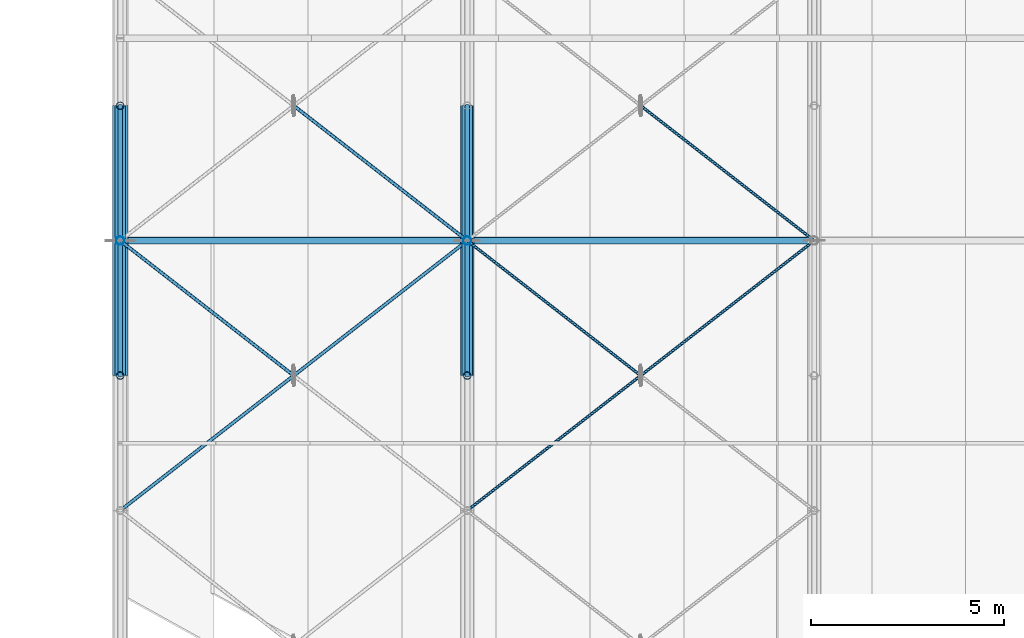
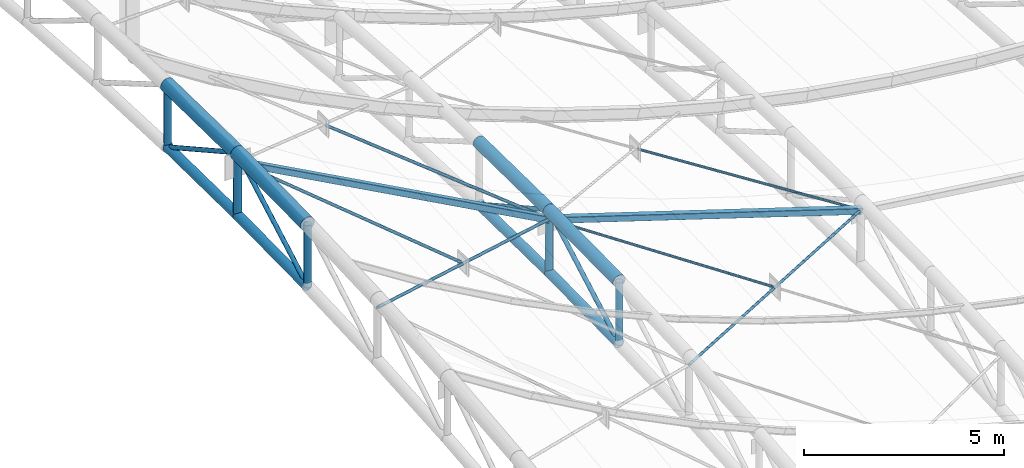
# One storey, part 22 of 262: 25 members.
"""IFC4 building model written with IfcOpenShell, lengths in metres."""

from ifc_helpers import new_model, si_unit, derived_unit, direction, frame, origin, origin_2d, place, context, subcontext, project, spatial, hollow_rectangle, hollow_circle, extrude, material, material_profile, profile_set, type_object, element, save


model = new_model("IFC4")

# Units and contexts
model_context = context("Model", 3, precision=1e-05, world=origin(), true_north=direction((0.0, 1.0)))
body_context = subcontext(model_context, "Body", "Model", "MODEL_VIEW")
ifc_project = project(units=[si_unit("LENGTHUNIT", "METRE"), si_unit("AREAUNIT", "SQUARE_METRE"), si_unit("VOLUMEUNIT", "CUBIC_METRE"), si_unit("PLANEANGLEUNIT", "RADIAN"), si_unit("MASSUNIT", "GRAM", prefix="KILO"), derived_unit("THERMALTRANSMITTANCEUNIT", [(si_unit("POWERUNIT", "WATT"), 1), (si_unit("LENGTHUNIT", "METRE"), -2), (si_unit("THERMODYNAMICTEMPERATUREUNIT", "KELVIN"), -1)])], contexts=[model_context])

# Site, building, storey
site_placement = place(None, origin())
site = spatial("IfcSite", under=ifc_project, at=site_placement, CompositionType="ELEMENT")
building_placement = place(site_placement, origin())
building = spatial("IfcBuilding", under=site, at=building_placement, Name="Almenara Railside Exhibition Hall", CompositionType="ELEMENT")
storey_placement = place(building_placement, frame((0.0, 0.0, 21.699951171875)))
storey = spatial("IfcBuildingStorey", under=building, at=storey_placement, Name="RF", CompositionType="ELEMENT", Elevation=21.699951171875)

# Members
ifc_material = material(Name="Structural steel S355JR", Category="steel")
ifc_material_profile_1 = material_profile(ifc_material, hollow_circle(Radius=0.04443359375, WallThickness=0.00390625, at=origin_2d()), Name="CHS 88.9x4")
ifc_profile_set_1 = profile_set([ifc_material_profile_1], Name="Structural steel S355JR")
member_type_1 = type_object("IfcMemberType", Name="Canopy Tie Brace CHS 88.9x4 S355JR", PredefinedType="BRACE", material=ifc_profile_set_1)
member_1_placement = place(storey_placement, frame((3.0, 14.0, 2.219970703125), z_axis=(0.729803497076, 0.56762494217, -0.381036455844), x_axis=(-0.613940613515, 0.789352217376, 0.0)))
element("IfcMember", 1, at=member_1_placement, inside=storey, type_object=member_type_1, Name="MEM-WB-V4-WB-CHS89-00-04-C", PredefinedType="BRACE", context=body_context, shape_type="SweptSolid", body=[
    extrude(hollow_circle(Radius=0.04443359375, WallThickness=0.00390625, at=origin_2d()), origin(), (0.0, 0.0, 1.0), 12.33203125),
])
member_2_placement = place(storey_placement, frame((3.0, 21.0, 2.420166015625), z_axis=(0.720570539314, -0.56045250816, -0.408253700496), x_axis=(0.613946589454, 0.789347569387, 0.0)))
element("IfcMember", 2, at=member_2_placement, inside=storey, type_object=member_type_1, Name="MEM-WB-V4-WB-CHS89-00-04-S1", PredefinedType="BRACE", context=body_context, shape_type="SweptSolid", body=[
    extrude(hollow_circle(Radius=0.04443359375, WallThickness=0.00390625, at=origin_2d()), origin(), (0.0, 0.0, 1.0), 6.196533203125),
])
member_3_placement = place(storey_placement, frame((7.535400390625, 24.472412109375, -0.14794921875), z_axis=(0.729804888016, -0.567617155479, -0.381045391304), x_axis=(0.613934636816, 0.789356865883, 0.0)))
element("IfcMember", 3, at=member_3_placement, inside=storey, type_object=member_type_1, Name="MEM-WB-V4-WB-CHS89-00-06-S2", PredefinedType="BRACE", context=body_context, shape_type="SweptSolid", body=[
    extrude(hollow_circle(Radius=0.04443359375, WallThickness=0.00390625, at=origin_2d()), origin(), (0.0, 0.0, 1.0), 6.117431640625),
])
ifc_material_profile_2 = material_profile(ifc_material, hollow_circle(Radius=0.0380859375, WallThickness=0.003662109375, at=origin_2d()), Name="CHS 76.1x3.6")
ifc_profile_set_2 = profile_set([ifc_material_profile_2], Name="Structural steel S355JR")
member_type_2 = type_object("IfcMemberType", Name="Lantern Cross-Tie Brace CHS 76.1x3.6 S355JR", PredefinedType="BRACE", material=ifc_profile_set_2)
member_4_placement = place(storey_placement, frame((12.0, 14.0, -2.678955078125), z_axis=(0.768536005782, 0.597750226719, -0.228138278843), x_axis=(-0.613940613515, 0.789352217376, 0.0)))
element("IfcMember", 4, at=member_4_placement, inside=storey, type_object=member_type_2, Name="MEM-WB-V4-WB-CHS76-01-04-C", PredefinedType="BRACE", context=body_context, shape_type="SweptSolid", body=[
    extrude(hollow_circle(Radius=0.0380859375, WallThickness=0.003662109375, at=origin_2d()), origin(), (0.0, 0.0, 1.0), 11.710693359375),
])
member_5_placement = place(storey_placement, frame((12.0, 21.0, -2.47900390625), z_axis=(0.762180594374, -0.59280250152, -0.260126768617), x_axis=(0.613937627465, 0.789354539851, 0.0)))
element("IfcMember", 5, at=member_5_placement, inside=storey, type_object=member_type_2, Name="MEM-WB-V4-WB-CHS76-01-04-S1", PredefinedType="BRACE", context=body_context, shape_type="SweptSolid", body=[
    extrude(hollow_circle(Radius=0.0380859375, WallThickness=0.003662109375, at=origin_2d()), origin(), (0.0, 0.0, 1.0), 5.862060546875),
])
member_6_placement = place(storey_placement, frame((16.5322265625, 24.474853515625, -4.0244140625), z_axis=(0.768544764163, -0.597743039799, -0.228127604313), x_axis=(0.613931654796, 0.789359185187, 0.0)))
element("IfcMember", 6, at=member_6_placement, inside=storey, type_object=member_type_2, Name="MEM-WB-V4-WB-CHS76-01-06-S2", PredefinedType="BRACE", context=body_context, shape_type="SweptSolid", body=[
    extrude(hollow_circle(Radius=0.0380859375, WallThickness=0.003662109375, at=origin_2d()), origin(), (0.0, 0.0, 1.0), 5.813232421875),
])
ifc_material_profile_3 = material_profile(ifc_material, hollow_circle(Radius=0.136474609375, WallThickness=0.010009765625, at=origin_2d()), Name="CHS 273x10")
ifc_profile_set_3 = profile_set([ifc_material_profile_3], Name="Structural steel S355JR")
member_type_3 = type_object("IfcMemberType", Name="Plenary Crown Bottom Chord CHS 273x10 S355JR", PredefinedType="CHORD", material=ifc_profile_set_3)
for number, where, z_axis, x_axis, name in (
    (7, (3.0, 17.5, 0.75), (0.0, 0.999897775465, 0.014298203402), (-1.0, 0.0, 0.0), "MEM-BC-V4-00-05"),
    (8, (3.0, 21.0, 0.800048828125), (0.0, 0.999897775465, -0.014298203402), (-1.0, 0.0, 0.0), "MEM-BC-V4-00-06"),
    (9, (12.0, 17.5, -4.149169921875), (0.0, 0.999897775465, 0.014298203402), (-1.0, 0.0, 0.0), "MEM-BC-V4-01-05"),
    (10, (12.0, 21.0, -4.09912109375), (0.0, 0.999897775465, -0.014298203402), (-1.0, 0.0, 0.0), "MEM-BC-V4-01-06"),
):
    element("IfcMember", number, at=place(storey_placement, frame(where, z_axis=z_axis, x_axis=x_axis)), inside=storey, type_object=member_type_3, Name=name, PredefinedType="CHORD", context=body_context, shape_type="SweptSolid", body=[
        extrude(hollow_circle(Radius=0.136474609375, WallThickness=0.010009765625, at=origin_2d()), origin(), (0.0, 0.0, 1.0), 3.500244140625),
    ])
ifc_material_profile_4 = material_profile(ifc_material, hollow_rectangle(XDim=0.179931640625, YDim=0.179931640625, WallThickness=0.008056640625, InnerFilletRadius=0.008056640625, OuterFilletRadius=0.01611328125, at=origin_2d()), Name="SHS 180x180x8")
ifc_profile_set_4 = profile_set([ifc_material_profile_4], Name="Structural steel S355JR")
member_type_4 = type_object("IfcMemberType", Name="Plenary Eaves Strut SHS 180x180x8 S355JR", PredefinedType="BRACE", material=ifc_profile_set_4)
member_7_placement = place(storey_placement, frame((3.0, 21.0, 2.420166015625), z_axis=(0.878302261666, 0.0, -0.478105780296), x_axis=(0.0, 1.0, 0.0)))
element("IfcMember", 11, at=member_7_placement, inside=storey, type_object=member_type_4, Name="MEM-ES-V4-00", PredefinedType="BRACE", context=body_context, shape_type="SweptSolid", body=[
    extrude(hollow_rectangle(XDim=0.179931640625, YDim=0.179931640625, WallThickness=0.008056640625, InnerFilletRadius=0.008056640625, OuterFilletRadius=0.01611328125, at=origin_2d()), origin(), (0.0, 0.0, 1.0), 10.2470703125),
])
member_8_placement = place(storey_placement, frame((12.0, 21.0, -2.47900390625), z_axis=(0.952682460911, 0.0, -0.303967315138), x_axis=(0.0, 1.0, 0.0)))
element("IfcMember", 12, at=member_8_placement, inside=storey, type_object=member_type_4, Name="MEM-ES-V4-01", PredefinedType="BRACE", context=body_context, shape_type="SweptSolid", body=[
    extrude(hollow_rectangle(XDim=0.179931640625, YDim=0.179931640625, WallThickness=0.008056640625, InnerFilletRadius=0.008056640625, OuterFilletRadius=0.01611328125, at=origin_2d()), origin(), (0.0, 0.0, 1.0), 9.447021484375),
])
ifc_material_profile_5 = material_profile(ifc_material, hollow_circle(Radius=0.203125, WallThickness=0.012451171875, at=origin_2d()), Name="CHS 406.4x12.5")
ifc_profile_set_5 = profile_set([ifc_material_profile_5], Name="Structural steel S355JR")
member_type_5 = type_object("IfcMemberType", Name="Plenary Gable Top Chord CHS 406.4x12.5 S355JR", PredefinedType="CHORD", material=ifc_profile_set_5)
for number, where, z_axis, x_axis, name in (
    (13, (3.0, 17.5, 2.650146484375), (0.0, 0.999898770194, 0.014228470223), (-1.0, 0.0, 0.0), "MEM-TC-V4-00-05"),
    (14, (3.0, 21.0, 2.699951171875), (0.0, 0.999898770194, -0.014228470223), (-1.0, 0.0, 0.0), "MEM-TC-V4-00-06"),
):
    element("IfcMember", number, at=place(storey_placement, frame(where, z_axis=z_axis, x_axis=x_axis)), inside=storey, type_object=member_type_5, Name=name, PredefinedType="CHORD", context=body_context, shape_type="SweptSolid", body=[
        extrude(hollow_circle(Radius=0.203125, WallThickness=0.012451171875, at=origin_2d()), origin(), (0.0, 0.0, 1.0), 3.500244140625),
    ])
ifc_material_profile_6 = material_profile(ifc_material, hollow_circle(Radius=0.177734375, WallThickness=0.012451171875, at=origin_2d()), Name="CHS 355.6x12.5")
ifc_profile_set_6 = profile_set([ifc_material_profile_6], Name="Structural steel S355JR")
member_type_6 = type_object("IfcMemberType", Name="Plenary Truss Top Chord CHS 355.6x12.5 S355JR", PredefinedType="CHORD", material=ifc_profile_set_6)
for number, where, z_axis, x_axis, name in (
    (15, (12.0, 17.5, -2.2490234375), (0.0, 0.999897775465, 0.014298203402), (-1.0, 0.0, 0.0), "MEM-TC-V4-01-05"),
    (16, (12.0, 21.0, -2.198974609375), (0.0, 0.999897775465, -0.014298203402), (-1.0, 0.0, 0.0), "MEM-TC-V4-01-06"),
):
    element("IfcMember", number, at=place(storey_placement, frame(where, z_axis=z_axis, x_axis=x_axis)), inside=storey, type_object=member_type_6, Name=name, PredefinedType="CHORD", context=body_context, shape_type="SweptSolid", body=[
        extrude(hollow_circle(Radius=0.177734375, WallThickness=0.012451171875, at=origin_2d()), origin(), (0.0, 0.0, 1.0), 3.500244140625),
    ])
ifc_material_profile_7 = material_profile(ifc_material, hollow_circle(Radius=0.0634765625, WallThickness=0.00439453125, at=origin_2d()), Name="CHS 127.0x4.5")
ifc_profile_set_7 = profile_set([ifc_material_profile_7], Name="Structural steel S355JR")
member_type_7 = type_object("IfcMemberType", Name="Truss Crown Diagonal CHS 127.0x4.5 S355JR", PredefinedType="BRACE", material=ifc_profile_set_7)
for number, where, z_axis, x_axis, name in (
    (17, (3.0, 17.5, 0.75), (0.0, 0.873573157803, 0.486692857936), (-1.0, 0.0, 0.0), "MEM-TD-V4-00-05"),
    (18, (3.0, 21.0, 2.699951171875), (0.0, 0.873573157803, -0.486692857936), (-1.0, 0.0, 0.0), "MEM-TD-V4-00-06"),
    (19, (12.0, 17.5, -4.149169921875), (0.0, 0.873547249832, 0.486739357677), (-1.0, 0.0, 0.0), "MEM-TD-V4-01-05"),
    (20, (12.0, 21.0, -2.198974609375), (0.0, 0.873547249832, -0.486739357677), (-1.0, 0.0, 0.0), "MEM-TD-V4-01-06"),
):
    element("IfcMember", number, at=place(storey_placement, frame(where, z_axis=z_axis, x_axis=x_axis)), inside=storey, type_object=member_type_7, Name=name, PredefinedType="BRACE", context=body_context, shape_type="SweptSolid", body=[
        extrude(hollow_circle(Radius=0.0634765625, WallThickness=0.00439453125, at=origin_2d()), origin(), (0.0, 0.0, 1.0), 4.006591796875),
    ])
ifc_material_profile_8 = material_profile(ifc_material, hollow_circle(Radius=0.109619140625, WallThickness=0.008056640625, at=origin_2d()), Name="CHS 219.1x8")
ifc_profile_set_8 = profile_set([ifc_material_profile_8], Name="Structural steel S355JR")
member_type_8 = type_object("IfcMemberType", Name="Truss Primary Vertical Strut CHS 219.1x8 S355JR", PredefinedType="BRACE", material=ifc_profile_set_8)
member_9_placement = place(storey_placement, frame((3.0, 21.0, 0.800048828125), z_axis=(0.0, 0.0, 1.0), x_axis=(1.0, 0.0, 0.0)))
element("IfcMember", 21, at=member_9_placement, inside=storey, type_object=member_type_8, Name="MEM-TV-V4-00-06", PredefinedType="BRACE", context=body_context, shape_type="SweptSolid", body=[
    extrude(hollow_circle(Radius=0.109619140625, WallThickness=0.008056640625, at=origin_2d()), origin(), (0.0, 0.0, 1.0), 1.89990234375),
])
member_10_placement = place(storey_placement, frame((12.0, 21.0, -4.09912109375), z_axis=(0.0, 0.0, 1.0), x_axis=(1.0, 0.0, 0.0)))
element("IfcMember", 22, at=member_10_placement, inside=storey, type_object=member_type_8, Name="MEM-TV-V4-01-06", PredefinedType="BRACE", context=body_context, shape_type="SweptSolid", body=[
    extrude(hollow_circle(Radius=0.109619140625, WallThickness=0.008056640625, at=origin_2d()), origin(), (0.0, 0.0, 1.0), 1.900146484375),
])
ifc_material_profile_9 = material_profile(ifc_material, hollow_circle(Radius=0.096923828125, WallThickness=0.00634765625, at=origin_2d()), Name="CHS 193.7x6.3")
ifc_profile_set_9 = profile_set([ifc_material_profile_9], Name="Structural steel S355JR")
member_type_9 = type_object("IfcMemberType", Name="Truss Standard Vertical Strut CHS 193.7x6.3 S355JR", PredefinedType="BRACE", material=ifc_profile_set_9)
for number, where, z_axis, x_axis, name in (
    (23, (3.0, 17.5, 0.75), (0.0, 0.0, 1.0), (1.0, 0.0, 0.0), "MEM-TV-V4-00-05"),
    (24, (3.0, 24.5, 0.75), (0.0, 0.0, 1.0), (1.0, 0.0, 0.0), "MEM-TV-V4-00-07"),
    (25, (12.0, 17.5, -4.149169921875), (0.0, 0.0, 1.0), (1.0, 0.0, 0.0), "MEM-TV-V4-01-05"),
):
    element("IfcMember", number, at=place(storey_placement, frame(where, z_axis=z_axis, x_axis=x_axis)), inside=storey, type_object=member_type_9, Name=name, PredefinedType="BRACE", context=body_context, shape_type="SweptSolid", body=[
        extrude(hollow_circle(Radius=0.096923828125, WallThickness=0.00634765625, at=origin_2d()), origin(), (0.0, 0.0, 1.0), 1.900146484375),
    ])

save(model, "model.ifc")
